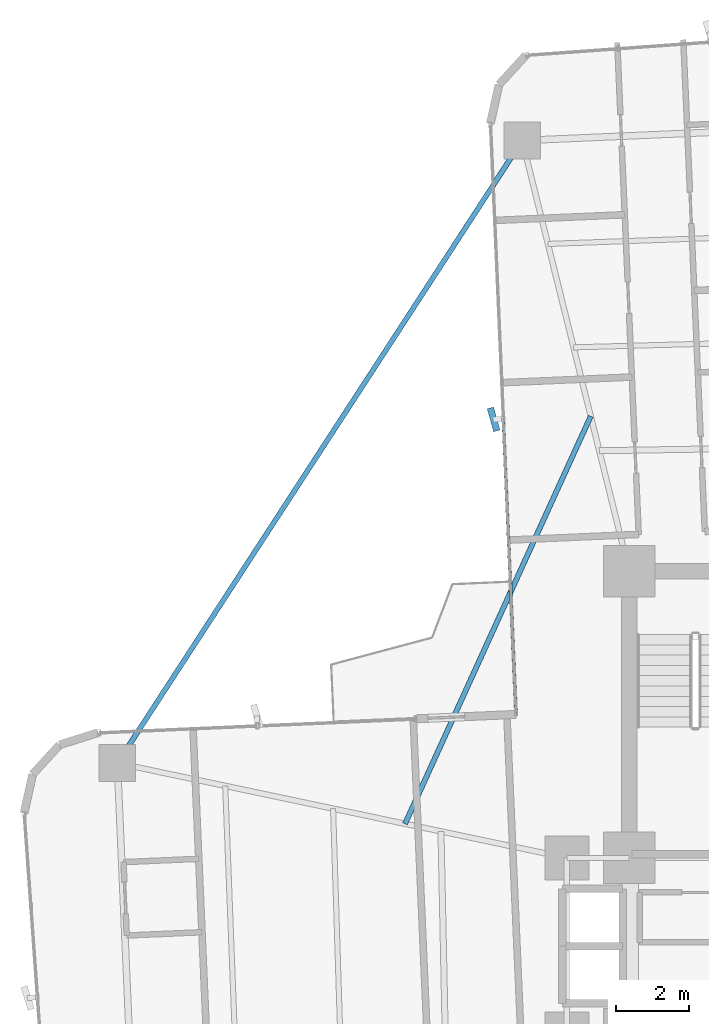
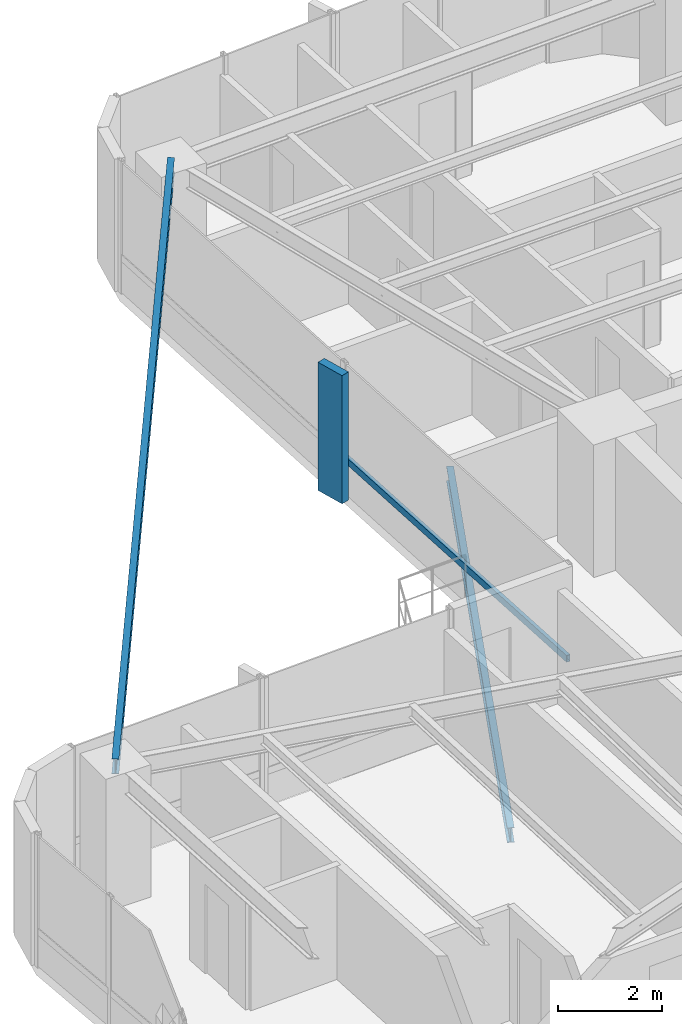
# One storey, part 16 of 26: 2 beams, 2 members, 1 element without a shape of its own.
"""IFC4 building model written with IfcOpenShell, lengths in metres."""

from ifc_helpers import new_model, si_unit, direction, frame, origin, origin_2d, place, context, subcontext, project, spatial, rectangle, hollow_rectangle, i_section, extrude, source, transform, mapped, material, material_profile, profile_set, type_object, element, aggregate, save


model = new_model("IFC4")

# Units and contexts
model_context = context("Model", 3, precision=1e-05, world=origin(), true_north=direction((0.0, 1.0)))
body_context = subcontext(model_context, "Body", "Model", "MODEL_VIEW")
ifc_project = project(units=[si_unit("LENGTHUNIT", "METRE"), si_unit("AREAUNIT", "SQUARE_METRE"), si_unit("VOLUMEUNIT", "CUBIC_METRE"), si_unit("PLANEANGLEUNIT", "RADIAN"), si_unit("MASSUNIT", "GRAM", prefix="KILO")], contexts=[model_context])

# Site, building, storey
site_placement = place(None, origin())
site = spatial("IfcSite", under=ifc_project, at=site_placement, CompositionType="ELEMENT")
building_placement = place(site_placement, origin())
building = spatial("IfcBuilding", under=site, at=building_placement, Name="Sahyath Konkavel Grand Hotel", CompositionType="ELEMENT")
storey_placement = place(building_placement, frame((0.0, 0.0, 83.5)))
storey = spatial("IfcBuildingStorey", under=building, at=storey_placement, Name="L22", CompositionType="ELEMENT", Elevation=83.5)

# Beam
ifc_material_1 = material(Name="Steel E350", Category="steel")
ifc_material_profile_1 = material_profile(ifc_material_1, i_section(OverallWidth=0.139892578125, OverallDepth=0.35009765625, WebThickness=0.008056640625, FlangeThickness=0.01416015625, FilletRadius=0.013916015625, at=origin_2d()), Name="ISMB 350")
ifc_profile_set_1 = profile_set([ifc_material_profile_1], Name="Steel E350")
beam_type_1 = type_object("IfcBeamType", Name="BM-ISMB350", PredefinedType="BEAM", material=ifc_profile_set_1)
shared_shape_1 = source(origin(), body_context, "Body", "SweptSolid", [
    extrude(i_section(OverallWidth=0.139892578125, OverallDepth=0.35009765625, WebThickness=0.008056640625, FlangeThickness=0.01416015625, FilletRadius=0.013916015625, at=origin_2d()), origin(), (0.0, 0.0, 1.0), 20.21533203125),
])
beam_1_placement = place(storey_placement, frame((-6.712890625, 21.927978515625, 2.93505859375), z_axis=(-0.545191244931, -0.838311700056, 0.0), x_axis=(0.838311700056, -0.545191244931, 0.0)))
element("IfcBeam", 1, at=beam_1_placement, inside=storey, type_object=beam_type_1, Name="L22 Re-Entrant Tie Beam NW", PredefinedType="BEAM", context=body_context, shape_type="MappedRepresentation", body=[
    mapped(shared_shape_1, transform((0.0, 0.0, 0.0), scale=1.0)),
])

# Curtain wall, members
ifc_material_2 = material(Name="Anodised Bronze Aluminium & Low-E Glazing", Category="aluminium")
curtain_wall_type = type_object("IfcCurtainWallType", Name="CW-ZONE2", PredefinedType="NOTDEFINED", material=ifc_material_2)
curtain_wall_placement = place(storey_placement, origin())
curtain_wall = element("IfcCurtainWall", 2, at=curtain_wall_placement, inside=storey, type_object=curtain_wall_type, Name="L22 Unitised Curtain Wall F15", PredefinedType="NOTDEFINED")
ifc_material_3 = material(Name="Warm Buff Sandstone Cladding on Concrete C50/60", Category="masonry")
ifc_material_profile_2 = material_profile(ifc_material_3, rectangle(XDim=0.179931640625, YDim=0.64990234375, at=origin_2d()), Name="FIN 180x650")
ifc_profile_set_2 = profile_set([ifc_material_profile_2], Name="Warm Buff Sandstone Cladding on Concrete C50/60")
member_type_1 = type_object("IfcMemberType", Name="FIN-SANDSTONE-650", PredefinedType="MULLION", material=ifc_profile_set_2)
shared_shape_2 = source(origin(), body_context, "Body", "SweptSolid", [
    extrude(rectangle(XDim=0.179931640625, YDim=0.64990234375, at=origin_2d()), origin(), (0.0, 0.0, 1.0), 3.010009765625),
])
member_1_placement = place(storey_placement, frame((-7.492431640625, 14.3369140625, 0.050048828125), z_axis=(0.0, 0.0, 1.0), x_axis=(0.962974590644, 0.269592169347, 0.0)))
member_1 = element("IfcMember", 3, at=member_1_placement, type_object=member_type_1, Name="L22 Sandstone Vertical Solar Fin FIN F15-1", PredefinedType="MULLION", context=body_context, shape_type="MappedRepresentation", body=[
    mapped(shared_shape_2, transform((0.0, 0.0, 0.0), scale=1.0)),
])
ifc_material_4 = material(Name="Anodised Bronze Aluminium", Category="aluminium")
ifc_material_profile_3 = material_profile(ifc_material_4, hollow_rectangle(XDim=0.080078125, YDim=0.159912109375, WallThickness=0.006103515625, at=origin_2d()), Name="RHS 160x80x6")
ifc_profile_set_3 = profile_set([ifc_material_profile_3], Name="Anodised Bronze Aluminium")
member_type_2 = type_object("IfcMemberType", Name="CW-TRN-160", PredefinedType="USERDEFINED", material=ifc_profile_set_3)
shared_shape_3 = source(origin(), body_context, "Body", "SweptSolid", [
    extrude(hollow_rectangle(XDim=0.080078125, YDim=0.159912109375, WallThickness=0.006103515625, at=origin_2d()), origin(), (0.0, 0.0, 1.0), 8.010009765625),
])
member_2_placement = place(storey_placement, frame((-7.232666015625, 14.34814453125, 0.85009765625), z_axis=(0.043615785896, -0.999048378819, 0.0), x_axis=(0.999048378819, 0.043615785896, 0.0)))
member_2 = element("IfcMember", 4, at=member_2_placement, type_object=member_type_2, Name="L22 Curtain Wall Transom F15-1-spandrel", ObjectType="TRANSOM", PredefinedType="USERDEFINED", context=body_context, shape_type="MappedRepresentation", body=[
    mapped(shared_shape_3, transform((0.0, 0.0, 0.0), scale=1.0)),
])
aggregate(curtain_wall, [member_1, member_2])

# Beam
ifc_material_profile_4 = material_profile(ifc_material_1, i_section(OverallWidth=0.139892578125, OverallDepth=0.35009765625, WebThickness=0.008056640625, FlangeThickness=0.01416015625, FilletRadius=0.013916015625, at=origin_2d()), Name="ISMB 350")
ifc_profile_set_4 = profile_set([ifc_material_profile_4], Name="Steel E350")
beam_type_2 = type_object("IfcBeamType", Name="BM-BALC-CANT", PredefinedType="BEAM", material=ifc_profile_set_4)
shared_shape_4 = source(origin(), body_context, "Body", "SweptSolid", [
    extrude(i_section(OverallWidth=0.139892578125, OverallDepth=0.35009765625, WebThickness=0.008056640625, FlangeThickness=0.01416015625, FilletRadius=0.013916015625, at=origin_2d()), origin(), (0.0, 0.0, 1.0), 12.190673828125),
])
beam_2_placement = place(storey_placement, frame((-4.8486328125, 14.422119140625, -0.4150390625), z_axis=(-0.414712580086, -0.909952458054, 0.0), x_axis=(0.909952458054, -0.414712580086, 0.0)))
element("IfcBeam", 5, at=beam_2_placement, inside=storey, type_object=beam_type_2, Name="L22 Balcony Cantilever Support Beam NW", PredefinedType="BEAM", context=body_context, shape_type="MappedRepresentation", body=[
    mapped(shared_shape_4, transform((0.0, 0.0, 0.0), scale=1.0)),
])

save(model, "model.ifc")
